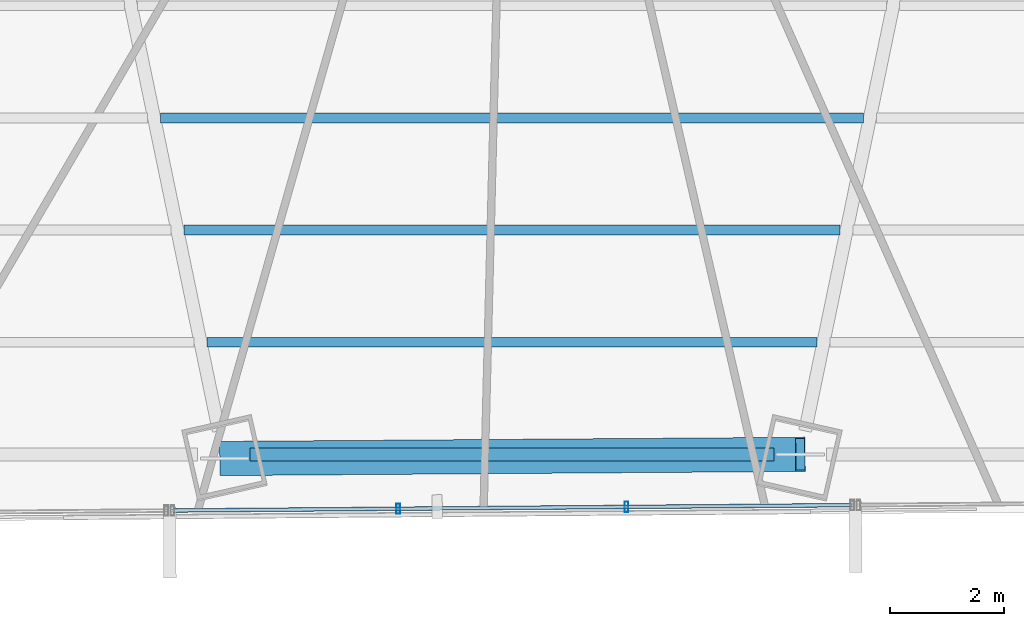
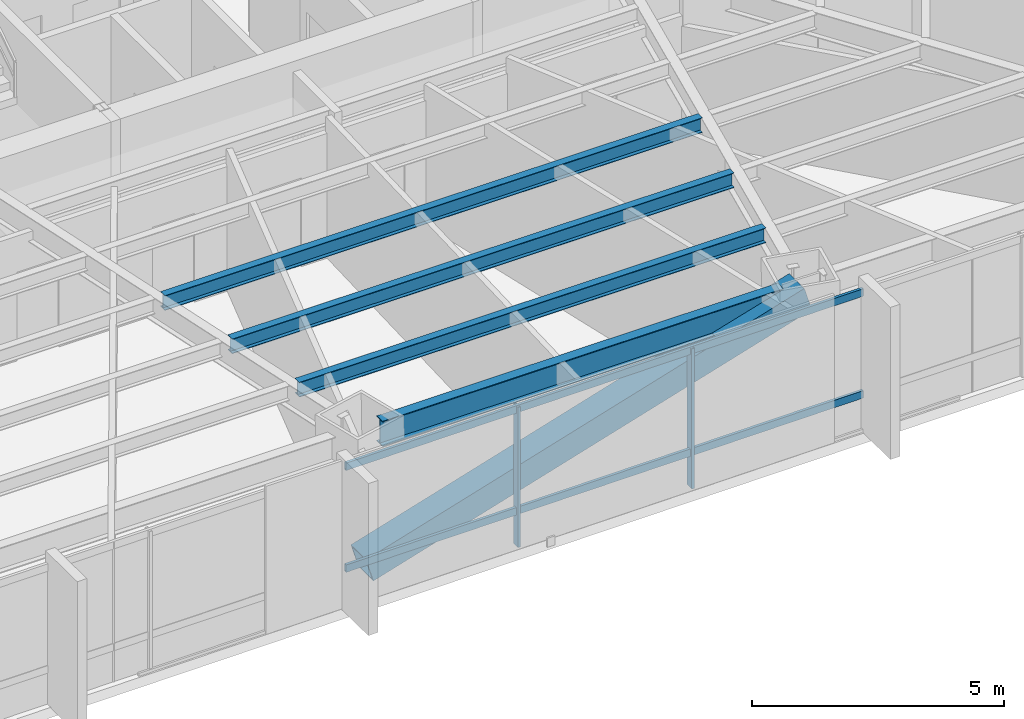
# One storey, part 9 of 36: 5 members, 4 beams, 1 element without a shape of its own.
"""IFC4 building model written with IfcOpenShell, lengths in metres."""

from ifc_helpers import new_model, si_unit, direction, frame, origin, origin_2d, place, context, subcontext, project, spatial, hollow_rectangle, i_section, extrude, source, transform, mapped, material, material_profile, profile_set, type_object, type_shapes, element, aggregate, save


model = new_model("IFC4")

# Units and contexts
model_context = context("Model", 3, precision=1e-05, world=origin(), true_north=direction((0.0, 1.0)))
body_context = subcontext(model_context, "Body", "Model", "MODEL_VIEW")
ifc_project = project(units=[si_unit("LENGTHUNIT", "METRE"), si_unit("AREAUNIT", "SQUARE_METRE"), si_unit("VOLUMEUNIT", "CUBIC_METRE"), si_unit("PLANEANGLEUNIT", "RADIAN"), si_unit("MASSUNIT", "GRAM", prefix="KILO")], contexts=[model_context])

# Site, building, storey
site_placement = place(None, origin())
site = spatial("IfcSite", under=ifc_project, at=site_placement, CompositionType="ELEMENT")
building_placement = place(site_placement, origin())
building = spatial("IfcBuilding", under=site, at=building_placement, Name="Caelisora Broadcast Tower", CompositionType="ELEMENT")
storey_placement = place(building_placement, frame((0.0, 0.0, 64.10009765625)))
storey = spatial("IfcBuildingStorey", under=building, at=storey_placement, Name="L16", CompositionType="ELEMENT", Elevation=64.10009765625)

# Beams
ifc_material_1 = material(Name="Steel Grade 350 (AS/NZS 3679.1)", Category="steel")
ifc_material_profile_1 = material_profile(ifc_material_1, i_section(OverallWidth=0.22900390625, OverallDepth=0.611572265625, WebThickness=0.011962890625, FlangeThickness=0.01953125, at=origin_2d()), Name="Steel Grade 350 (AS/NZS 3679.1)")
ifc_profile_set_1 = profile_set([ifc_material_profile_1], Name="Steel Grade 350 (AS/NZS 3679.1)")
beam_type_1 = type_object("IfcBeamType", Name="PG03", PredefinedType="BEAM", material=ifc_profile_set_1)
shared_shape_1 = source(origin(), body_context, "Body", "SweptSolid", [
    extrude(i_section(OverallWidth=0.22900390625, OverallDepth=0.611572265625, WebThickness=0.011962890625, FlangeThickness=0.01953125, at=origin_2d()), origin(), (0.0, 0.0, 1.0), 9.1953125),
])
type_shapes(beam_type_1, [shared_shape_1])
beam_1_placement = place(storey_placement, frame((33.40234375, 5.59521484375, 3.093994140625), z_axis=(1.0, 0.0, 0.0), x_axis=(0.0, 1.0, 0.0)))
element("IfcBeam", 1, at=beam_1_placement, inside=storey, type_object=beam_type_1, Name="L16 beam PG03", PredefinedType="BEAM", context=body_context, shape_type="MappedRepresentation", body=[
    mapped(shared_shape_1, transform((0.0, 0.0, 0.0), scale=1.0)),
])
ifc_material_profile_2 = material_profile(ifc_material_1, i_section(OverallWidth=0.172119140625, OverallDepth=0.358642578125, WebThickness=0.008056640625, FlangeThickness=0.012939453125, at=origin_2d()), Name="Steel Grade 350 (AS/NZS 3679.1)")
ifc_profile_set_2 = profile_set([ifc_material_profile_2], Name="Steel Grade 350 (AS/NZS 3679.1)")
beam_type_2 = type_object("IfcBeamType", Name="SB02", PredefinedType="JOIST", material=ifc_profile_set_2)
shared_shape_2 = source(origin(), body_context, "Body", "SweptSolid", [
    extrude(i_section(OverallWidth=0.172119140625, OverallDepth=0.358642578125, WebThickness=0.008056640625, FlangeThickness=0.012939453125, at=origin_2d()), origin(), (0.0, 0.0, 1.0), 12.33056640625),
])
beam_2_placement = place(storey_placement, frame((31.834716796875, 11.497802734375, 3.220703125), z_axis=(1.0, 0.0, 0.0), x_axis=(0.0, 1.0, 0.0)))
element("IfcBeam", 2, at=beam_2_placement, inside=storey, type_object=beam_type_2, Name="L16 beam SB02", PredefinedType="JOIST", context=body_context, shape_type="MappedRepresentation", body=[
    mapped(shared_shape_2, transform((0.0, 0.0, 0.0), scale=1.0)),
])
shared_shape_3 = source(origin(), body_context, "Body", "SweptSolid", [
    extrude(i_section(OverallWidth=0.172119140625, OverallDepth=0.358642578125, WebThickness=0.008056640625, FlangeThickness=0.012939453125, at=origin_2d()), origin(), (0.0, 0.0, 1.0), 11.5166015625),
])
beam_3_placement = place(storey_placement, frame((32.24169921875, 9.5302734375, 3.220703125), z_axis=(1.0, 0.0, 0.0), x_axis=(0.0, 1.0, 0.0)))
element("IfcBeam", 3, at=beam_3_placement, inside=storey, type_object=beam_type_2, Name="L16 beam SB02", PredefinedType="JOIST", context=body_context, shape_type="MappedRepresentation", body=[
    mapped(shared_shape_3, transform((0.0, 0.0, 0.0), scale=1.0)),
])
shared_shape_4 = source(origin(), body_context, "Body", "SweptSolid", [
    extrude(i_section(OverallWidth=0.172119140625, OverallDepth=0.358642578125, WebThickness=0.008056640625, FlangeThickness=0.012939453125, at=origin_2d()), origin(), (0.0, 0.0, 1.0), 10.70263671875),
])
type_shapes(beam_type_2, [shared_shape_2, shared_shape_3, shared_shape_4])
beam_4_placement = place(storey_placement, frame((32.648681640625, 7.562744140625, 3.220703125), z_axis=(1.0, 0.0, 0.0), x_axis=(0.0, 1.0, 0.0)))
element("IfcBeam", 4, at=beam_4_placement, inside=storey, type_object=beam_type_2, Name="L16 beam SB02", PredefinedType="JOIST", context=body_context, shape_type="MappedRepresentation", body=[
    mapped(shared_shape_4, transform((0.0, 0.0, 0.0), scale=1.0)),
])

# Member
ifc_material_2 = material(Name="Steel Grade 450 L15 (AS/NZS 3678)", Category="steel")
ifc_material_profile_3 = material_profile(ifc_material_2, hollow_rectangle(XDim=0.60009765625, YDim=0.60009765625, WallThickness=0.02490234375, at=origin_2d()), Name="Steel Grade 450 L15 (AS/NZS 3678)")
ifc_profile_set_3 = profile_set([ifc_material_profile_3], Name="Steel Grade 450 L15 (AS/NZS 3678)")
member_type_1 = type_object("IfcMemberType", Name="BR01", PredefinedType="BRACE", material=ifc_profile_set_3)
shared_shape_5 = source(origin(), body_context, "Body", "SweptSolid", [
    extrude(hollow_rectangle(XDim=0.60009765625, YDim=0.60009765625, WallThickness=0.02490234375, at=origin_2d()), origin(), (0.0, 0.0, 1.0), 10.535400390625),
])
type_shapes(member_type_1, [shared_shape_5])
member_1_placement = place(storey_placement, frame((32.958740234375, 5.52294921875, 0.099853515625), z_axis=(0.958575201426, 0.006859380143, 0.284756970268), x_axis=(-0.007155624849, 0.999974398189, 0.0)))
element("IfcMember", 5, at=member_1_placement, inside=storey, type_object=member_type_1, Name="L16 perimeter brace BR01", PredefinedType="BRACE", context=body_context, shape_type="MappedRepresentation", body=[
    mapped(shared_shape_5, transform((0.0, 0.0, 0.0), scale=1.0)),
])

# Curtain wall, members
ifc_material_3 = material(Name="Unitised Aluminium Insulated Shadow-Box Spandrel Curtain Wall", Category="aluminium")
curtain_wall_type = type_object("IfcCurtainWallType", Name="CW-SP1", PredefinedType="NOTDEFINED", material=ifc_material_3)
curtain_wall_placement = place(storey_placement, origin())
curtain_wall = element("IfcCurtainWall", 6, at=curtain_wall_placement, inside=storey, type_object=curtain_wall_type, Name="L16 curtain wall CW-SP1", PredefinedType="NOTDEFINED")
ifc_material_4 = material(Name="Aluminium 6063-T6 Anodised Terracotta Bronze", Category="aluminium")
ifc_material_profile_4 = material_profile(ifc_material_4, hollow_rectangle(XDim=0.06494140625, YDim=0.179931640625, WallThickness=0.00341796875, at=origin_2d()), Name="Aluminium 6063-T6 Anodised Terracotta Bronze")
ifc_profile_set_4 = profile_set([ifc_material_profile_4], Name="Aluminium 6063-T6 Anodised Terracotta Bronze")
member_type_2 = type_object("IfcMemberType", Name="CWM-02", PredefinedType="MULLION", material=ifc_profile_set_4)
shared_shape_6 = source(origin(), body_context, "Body", "SweptSolid", [
    extrude(hollow_rectangle(XDim=0.06494140625, YDim=0.179931640625, WallThickness=0.00341796875, at=origin_2d()), origin(), (0.0, 0.0, 1.0), 3.39990234375),
])
type_shapes(member_type_2, [shared_shape_6])
member_2_placement = place(storey_placement, frame((40.010498046875, 4.67333984375, 0.0), z_axis=(0.0, 0.0, 1.0), x_axis=(1.0, 0.0, 0.0)))
member_2 = element("IfcMember", 7, at=member_2_placement, type_object=member_type_2, Name="L16-CW-B06 mullion #1", PredefinedType="MULLION", context=body_context, shape_type="MappedRepresentation", body=[
    mapped(shared_shape_6, transform((0.0, 0.0, 0.0), scale=1.0)),
])
member_3_placement = place(storey_placement, frame((36.003173828125, 4.6416015625, 0.0), z_axis=(0.0, 0.0, 1.0), x_axis=(1.0, 0.0, 0.0)))
member_3 = element("IfcMember", 8, at=member_3_placement, type_object=member_type_2, Name="L16-CW-B06 mullion #2", PredefinedType="MULLION", context=body_context, shape_type="MappedRepresentation", body=[
    mapped(shared_shape_6, transform((0.0, 0.0, 0.0), scale=1.0)),
])
ifc_material_profile_5 = material_profile(ifc_material_4, hollow_rectangle(XDim=0.06494140625, YDim=0.179931640625, WallThickness=0.00341796875, at=origin_2d()), Name="Aluminium 6063-T6 Anodised Terracotta Bronze")
ifc_profile_set_5 = profile_set([ifc_material_profile_5], Name="Aluminium 6063-T6 Anodised Terracotta Bronze")
member_type_3 = type_object("IfcMemberType", Name="CWT-01", PredefinedType="USERDEFINED", material=ifc_profile_set_5)
shared_shape_7 = source(origin(), body_context, "Body", "SweptSolid", [
    extrude(hollow_rectangle(XDim=0.06494140625, YDim=0.179931640625, WallThickness=0.00341796875, at=origin_2d()), origin(), (0.0, 0.0, 1.0), 11.92236328125),
])
type_shapes(member_type_3, [shared_shape_7])
member_4_placement = place(storey_placement, frame((43.9677734375, 4.704833984375, 0.849853515625), z_axis=(-0.99996843514, -0.007945358634, 0.0), x_axis=(0.007945358634, -0.99996843514, 0.0)))
member_4 = element("IfcMember", 9, at=member_4_placement, type_object=member_type_3, Name="L16-CW-B06 transom #1", ObjectType="TRANSOM", PredefinedType="USERDEFINED", context=body_context, shape_type="MappedRepresentation", body=[
    mapped(shared_shape_7, transform((0.0, 0.0, 0.0), scale=1.0)),
])
member_5_placement = place(storey_placement, frame((43.9677734375, 4.704833984375, 3.31982421875), z_axis=(-0.99996843514, -0.007945358634, 0.0), x_axis=(0.007945358634, -0.99996843514, 0.0)))
member_5 = element("IfcMember", 10, at=member_5_placement, type_object=member_type_3, Name="L16-CW-B06 transom #2", ObjectType="TRANSOM", PredefinedType="USERDEFINED", context=body_context, shape_type="MappedRepresentation", body=[
    mapped(shared_shape_7, transform((0.0, 0.0, 0.0), scale=1.0)),
])
aggregate(curtain_wall, [member_2, member_3, member_4, member_5])

save(model, "model.ifc")
